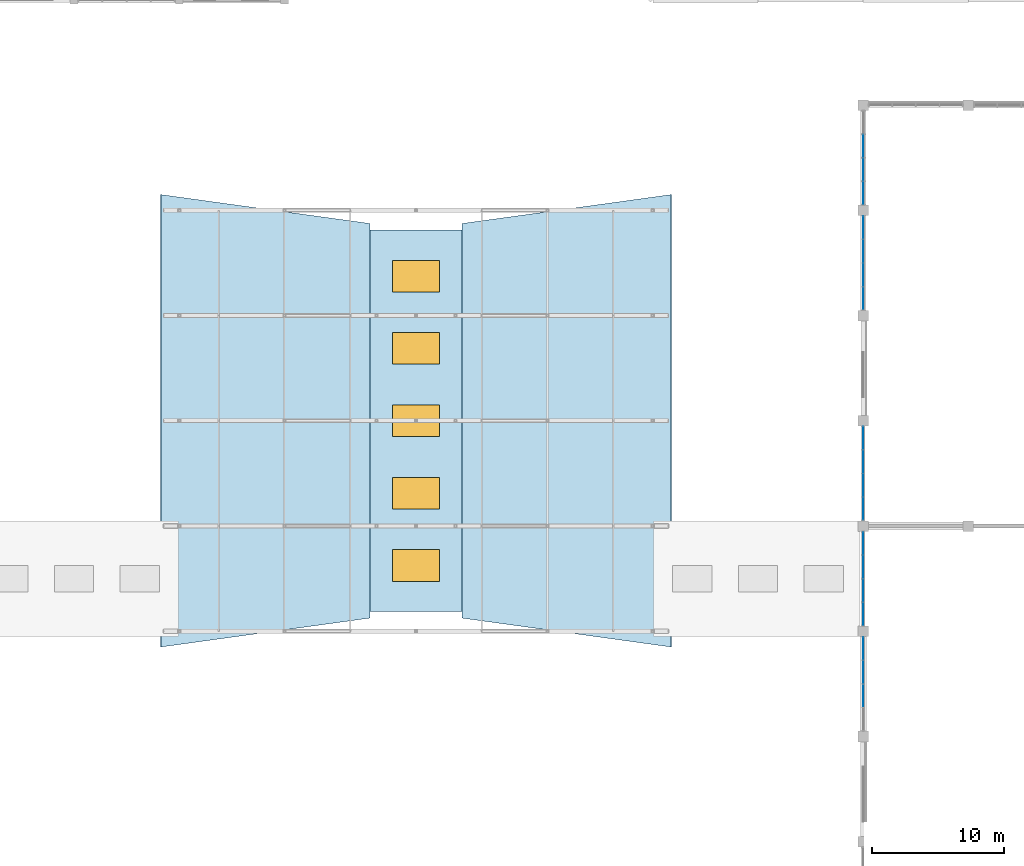
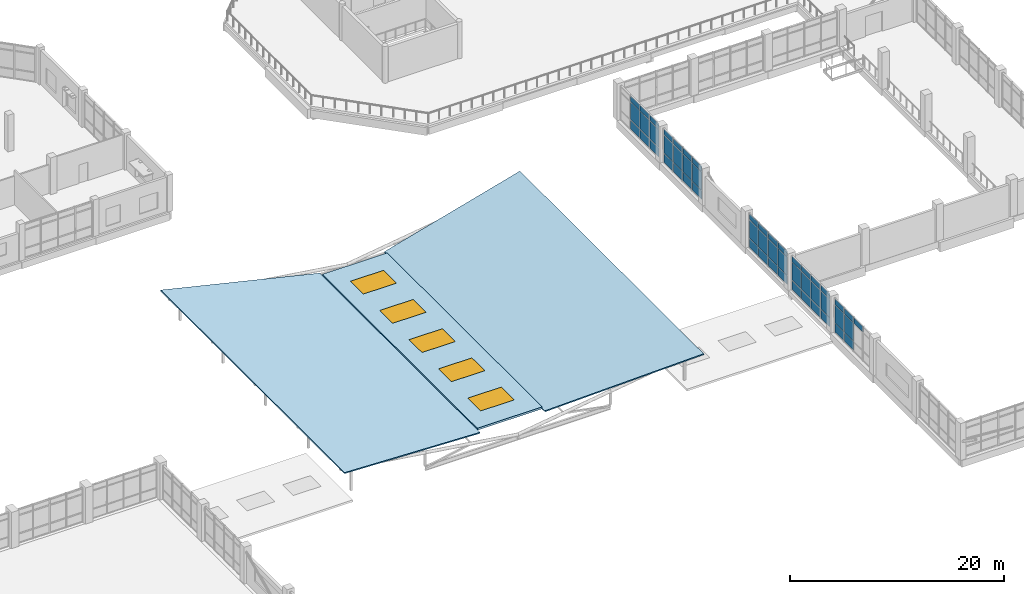
# One storey, part 57 of 84: 52 plates, 5 windows, 3 slabs, 5 openings, 5 elements without a shape of their own.
"""IFC4 building model written with IfcOpenShell, lengths in metres."""

from ifc_helpers import new_model, si_unit, direction, frame, origin, origin_2d, place, context, subcontext, project, spatial, polyline, rectangle, outline, extrude, material, layer, layer_set, type_object, element, fill, aggregate, save


model = new_model("IFC4")

# Units and contexts
model_context = context("Model", 3, precision=1e-05, world=origin(), true_north=direction((0.0, 1.0)))
body_context = subcontext(model_context, "Body", "Model", "MODEL_VIEW")
ifc_project = project(units=[si_unit("LENGTHUNIT", "METRE"), si_unit("AREAUNIT", "SQUARE_METRE"), si_unit("VOLUMEUNIT", "CUBIC_METRE"), si_unit("PLANEANGLEUNIT", "RADIAN"), si_unit("MASSUNIT", "GRAM", prefix="KILO")], contexts=[model_context])

# Site, building, storey
site_placement = place(None, origin())
site = spatial("IfcSite", under=ifc_project, at=site_placement, CompositionType="ELEMENT")
building_placement = place(site_placement, origin())
building = spatial("IfcBuilding", under=site, at=building_placement, Name="Tenunan Teduh Sports Hall", CompositionType="ELEMENT")
storey_placement = place(building_placement, frame((0.0, 0.0, 10.800048828125)))
storey = spatial("IfcBuildingStorey", under=building, at=storey_placement, Name="L02", CompositionType="ELEMENT", Elevation=10.800048828125)

# Curtain wall, plates
ifc_material_1 = material(Name="Anodised aluminium", Category="aluminium")
curtain_wall_type = type_object("IfcCurtainWallType", Name="CW-UNIT-2", PredefinedType="NOTDEFINED", material=ifc_material_1)
curtain_wall_1_placement = place(storey_placement, origin())
curtain_wall_1 = element("IfcCurtainWall", 1, at=curtain_wall_1_placement, inside=storey, type_object=curtain_wall_type, Name="CW-CWM-175-L02-030", PredefinedType="NOTDEFINED")
ifc_material_2 = material(Name="Low-E laminated double glazing", Category="glass")
ifc_layer_1 = layer(ifc_material_2, 0.028076171875)
ifc_layer_set_1 = layer_set([ifc_layer_1], Name="Low-E laminated double glazing")
plate_type_1 = type_object("IfcPlateType", Name="CWP-GLZ-28", PredefinedType="CURTAIN_PANEL", material=ifc_layer_set_1)
plate_1_placement = place(storey_placement, frame((122.0, 33.10009765625, 3.232421875), z_axis=(0.0, 0.0, 1.0), x_axis=(0.0, 1.0, 0.0)))
plate_1 = element("IfcPlate", 2, at=plate_1_placement, type_object=plate_type_1, Name="CW-02 panel 2.3", PredefinedType="CURTAIN_PANEL", context=body_context, shape_type="SweptSolid", body=[
    extrude(rectangle(XDim=1.735107421875, YDim=0.028076171875, at=origin_2d()), origin(), (0.0, 0.0, 1.0), 0.62255859375),
])
plate_2_placement = place(storey_placement, frame((122.0, 34.89990234375, 1.13232421875), z_axis=(0.0, 0.0, 1.0), x_axis=(0.0, 1.0, 0.0)))
plate_2 = element("IfcPlate", 3, at=plate_2_placement, type_object=plate_type_1, Name="CW-02 panel 3.2", PredefinedType="CURTAIN_PANEL", context=body_context, shape_type="SweptSolid", body=[
    extrude(rectangle(XDim=1.735107421875, YDim=0.028076171875, at=origin_2d()), origin(), (0.0, 0.0, 1.0), 2.034912109375),
])
plate_3_placement = place(storey_placement, frame((122.0, 34.89990234375, 3.232421875), z_axis=(0.0, 0.0, 1.0), x_axis=(0.0, 1.0, 0.0)))
plate_3 = element("IfcPlate", 4, at=plate_3_placement, type_object=plate_type_1, Name="CW-02 panel 3.3", PredefinedType="CURTAIN_PANEL", context=body_context, shape_type="SweptSolid", body=[
    extrude(rectangle(XDim=1.735107421875, YDim=0.028076171875, at=origin_2d()), origin(), (0.0, 0.0, 1.0), 0.62255859375),
])
plate_4_placement = place(storey_placement, frame((122.0, 36.683837890625, 1.13232421875), z_axis=(0.0, 0.0, 1.0), x_axis=(0.0, 1.0, 0.0)))
plate_4 = element("IfcPlate", 5, at=plate_4_placement, type_object=plate_type_1, Name="CW-02 panel 4.2", PredefinedType="CURTAIN_PANEL", context=body_context, shape_type="SweptSolid", body=[
    extrude(rectangle(XDim=1.702392578125, YDim=0.028076171875, at=origin_2d()), origin(), (0.0, 0.0, 1.0), 2.034912109375),
])
plate_5_placement = place(storey_placement, frame((122.0, 36.683837890625, 3.232421875), z_axis=(0.0, 0.0, 1.0), x_axis=(0.0, 1.0, 0.0)))
plate_5 = element("IfcPlate", 6, at=plate_5_placement, type_object=plate_type_1, Name="CW-02 panel 4.3", PredefinedType="CURTAIN_PANEL", context=body_context, shape_type="SweptSolid", body=[
    extrude(rectangle(XDim=1.702392578125, YDim=0.028076171875, at=origin_2d()), origin(), (0.0, 0.0, 1.0), 0.62255859375),
])

curtain_wall_2_placement = place(storey_placement, origin())
curtain_wall_2 = element("IfcCurtainWall", 7, at=curtain_wall_2_placement, inside=storey, type_object=curtain_wall_type, Name="CW-CWM-200-L02-032", PredefinedType="NOTDEFINED")
plate_6_placement = place(storey_placement, frame((122.0, 39.3173828125, 1.134765625), z_axis=(0.0, 0.0, 1.0), x_axis=(0.0, 1.0, 0.0)))
plate_6 = element("IfcPlate", 8, at=plate_6_placement, type_object=plate_type_1, Name="CW-02 panel 1.2", PredefinedType="CURTAIN_PANEL", context=body_context, shape_type="SweptSolid", body=[
    extrude(rectangle(XDim=1.695068359375, YDim=0.028076171875, at=origin_2d()), origin(), (0.0, 0.0, 1.0), 2.030029296875),
])
plate_7_placement = place(storey_placement, frame((122.0, 39.3173828125, 3.23486328125), z_axis=(0.0, 0.0, 1.0), x_axis=(0.0, 1.0, 0.0)))
plate_7 = element("IfcPlate", 9, at=plate_7_placement, type_object=plate_type_1, Name="CW-02 panel 1.3", PredefinedType="CURTAIN_PANEL", context=body_context, shape_type="SweptSolid", body=[
    extrude(rectangle(XDim=1.695068359375, YDim=0.028076171875, at=origin_2d()), origin(), (0.0, 0.0, 1.0), 0.614990234375),
])
plate_8_placement = place(storey_placement, frame((122.0, 41.10009765625, 1.134765625), z_axis=(0.0, 0.0, 1.0), x_axis=(0.0, 1.0, 0.0)))
plate_8 = element("IfcPlate", 10, at=plate_8_placement, type_object=plate_type_1, Name="CW-02 panel 2.2", PredefinedType="CURTAIN_PANEL", context=body_context, shape_type="SweptSolid", body=[
    extrude(rectangle(XDim=1.72998046875, YDim=0.028076171875, at=origin_2d()), origin(), (0.0, 0.0, 1.0), 2.030029296875),
])
plate_9_placement = place(storey_placement, frame((122.0, 41.10009765625, 3.23486328125), z_axis=(0.0, 0.0, 1.0), x_axis=(0.0, 1.0, 0.0)))
plate_9 = element("IfcPlate", 11, at=plate_9_placement, type_object=plate_type_1, Name="CW-02 panel 2.3", PredefinedType="CURTAIN_PANEL", context=body_context, shape_type="SweptSolid", body=[
    extrude(rectangle(XDim=1.72998046875, YDim=0.028076171875, at=origin_2d()), origin(), (0.0, 0.0, 1.0), 0.614990234375),
])
plate_10_placement = place(storey_placement, frame((122.0, 42.89990234375, 1.134765625), z_axis=(0.0, 0.0, 1.0), x_axis=(0.0, 1.0, 0.0)))
plate_10 = element("IfcPlate", 12, at=plate_10_placement, type_object=plate_type_1, Name="CW-02 panel 3.2", PredefinedType="CURTAIN_PANEL", context=body_context, shape_type="SweptSolid", body=[
    extrude(rectangle(XDim=1.72998046875, YDim=0.028076171875, at=origin_2d()), origin(), (0.0, 0.0, 1.0), 2.030029296875),
])
plate_11_placement = place(storey_placement, frame((122.0, 42.89990234375, 3.23486328125), z_axis=(0.0, 0.0, 1.0), x_axis=(0.0, 1.0, 0.0)))
plate_11 = element("IfcPlate", 13, at=plate_11_placement, type_object=plate_type_1, Name="CW-02 panel 3.3", PredefinedType="CURTAIN_PANEL", context=body_context, shape_type="SweptSolid", body=[
    extrude(rectangle(XDim=1.72998046875, YDim=0.028076171875, at=origin_2d()), origin(), (0.0, 0.0, 1.0), 0.614990234375),
])
plate_12_placement = place(storey_placement, frame((122.0, 44.6826171875, 1.134765625), z_axis=(0.0, 0.0, 1.0), x_axis=(0.0, 1.0, 0.0)))
plate_12 = element("IfcPlate", 14, at=plate_12_placement, type_object=plate_type_1, Name="CW-02 panel 4.2", PredefinedType="CURTAIN_PANEL", context=body_context, shape_type="SweptSolid", body=[
    extrude(rectangle(XDim=1.695068359375, YDim=0.028076171875, at=origin_2d()), origin(), (0.0, 0.0, 1.0), 2.030029296875),
])
plate_13_placement = place(storey_placement, frame((122.0, 44.6826171875, 3.23486328125), z_axis=(0.0, 0.0, 1.0), x_axis=(0.0, 1.0, 0.0)))
plate_13 = element("IfcPlate", 15, at=plate_13_placement, type_object=plate_type_1, Name="CW-02 panel 4.3", PredefinedType="CURTAIN_PANEL", context=body_context, shape_type="SweptSolid", body=[
    extrude(rectangle(XDim=1.695068359375, YDim=0.028076171875, at=origin_2d()), origin(), (0.0, 0.0, 1.0), 0.614990234375),
])

curtain_wall_3_placement = place(storey_placement, origin())
curtain_wall_3 = element("IfcCurtainWall", 16, at=curtain_wall_3_placement, inside=storey, type_object=curtain_wall_type, Name="CW-CWM-175-L02-134", PredefinedType="NOTDEFINED")
plate_14_placement = place(storey_placement, frame((122.0, 63.316162109375, 1.13232421875), z_axis=(0.0, 0.0, 1.0), x_axis=(0.0, 1.0, 0.0)))
plate_14 = element("IfcPlate", 17, at=plate_14_placement, type_object=plate_type_1, Name="CW-02 panel 1.2", PredefinedType="CURTAIN_PANEL", context=body_context, shape_type="SweptSolid", body=[
    extrude(rectangle(XDim=1.702392578125, YDim=0.028076171875, at=origin_2d()), origin(), (0.0, 0.0, 1.0), 2.034912109375),
])
plate_15_placement = place(storey_placement, frame((122.0, 63.316162109375, 3.232421875), z_axis=(0.0, 0.0, 1.0), x_axis=(0.0, 1.0, 0.0)))
plate_15 = element("IfcPlate", 18, at=plate_15_placement, type_object=plate_type_1, Name="CW-02 panel 1.3", PredefinedType="CURTAIN_PANEL", context=body_context, shape_type="SweptSolid", body=[
    extrude(rectangle(XDim=1.702392578125, YDim=0.028076171875, at=origin_2d()), origin(), (0.0, 0.0, 1.0), 0.62255859375),
])
plate_16_placement = place(storey_placement, frame((122.0, 65.10009765625, 1.13232421875), z_axis=(0.0, 0.0, 1.0), x_axis=(0.0, 1.0, 0.0)))
plate_16 = element("IfcPlate", 19, at=plate_16_placement, type_object=plate_type_1, Name="CW-02 panel 2.2", PredefinedType="CURTAIN_PANEL", context=body_context, shape_type="SweptSolid", body=[
    extrude(rectangle(XDim=1.735107421875, YDim=0.028076171875, at=origin_2d()), origin(), (0.0, 0.0, 1.0), 2.034912109375),
])
plate_17_placement = place(storey_placement, frame((122.0, 65.10009765625, 3.232421875), z_axis=(0.0, 0.0, 1.0), x_axis=(0.0, 1.0, 0.0)))
plate_17 = element("IfcPlate", 20, at=plate_17_placement, type_object=plate_type_1, Name="CW-02 panel 2.3", PredefinedType="CURTAIN_PANEL", context=body_context, shape_type="SweptSolid", body=[
    extrude(rectangle(XDim=1.735107421875, YDim=0.028076171875, at=origin_2d()), origin(), (0.0, 0.0, 1.0), 0.62255859375),
])
plate_18_placement = place(storey_placement, frame((122.0, 66.89990234375, 1.13232421875), z_axis=(0.0, 0.0, 1.0), x_axis=(0.0, 1.0, 0.0)))
plate_18 = element("IfcPlate", 21, at=plate_18_placement, type_object=plate_type_1, Name="CW-02 panel 3.2", PredefinedType="CURTAIN_PANEL", context=body_context, shape_type="SweptSolid", body=[
    extrude(rectangle(XDim=1.735107421875, YDim=0.028076171875, at=origin_2d()), origin(), (0.0, 0.0, 1.0), 2.034912109375),
])
plate_19_placement = place(storey_placement, frame((122.0, 66.89990234375, 3.232421875), z_axis=(0.0, 0.0, 1.0), x_axis=(0.0, 1.0, 0.0)))
plate_19 = element("IfcPlate", 22, at=plate_19_placement, type_object=plate_type_1, Name="CW-02 panel 3.3", PredefinedType="CURTAIN_PANEL", context=body_context, shape_type="SweptSolid", body=[
    extrude(rectangle(XDim=1.735107421875, YDim=0.028076171875, at=origin_2d()), origin(), (0.0, 0.0, 1.0), 0.62255859375),
])
plate_20_placement = place(storey_placement, frame((122.0, 68.683837890625, 1.13232421875), z_axis=(0.0, 0.0, 1.0), x_axis=(0.0, 1.0, 0.0)))
plate_20 = element("IfcPlate", 23, at=plate_20_placement, type_object=plate_type_1, Name="CW-02 panel 4.2", PredefinedType="CURTAIN_PANEL", context=body_context, shape_type="SweptSolid", body=[
    extrude(rectangle(XDim=1.702392578125, YDim=0.028076171875, at=origin_2d()), origin(), (0.0, 0.0, 1.0), 2.034912109375),
])
plate_21_placement = place(storey_placement, frame((122.0, 68.683837890625, 3.232421875), z_axis=(0.0, 0.0, 1.0), x_axis=(0.0, 1.0, 0.0)))
plate_21 = element("IfcPlate", 24, at=plate_21_placement, type_object=plate_type_1, Name="CW-02 panel 4.3", PredefinedType="CURTAIN_PANEL", context=body_context, shape_type="SweptSolid", body=[
    extrude(rectangle(XDim=1.702392578125, YDim=0.028076171875, at=origin_2d()), origin(), (0.0, 0.0, 1.0), 0.62255859375),
])

curtain_wall_4_placement = place(storey_placement, origin())
curtain_wall_4 = element("IfcCurtainWall", 25, at=curtain_wall_4_placement, inside=storey, type_object=curtain_wall_type, Name="CW-CWM-200-L02-136", PredefinedType="NOTDEFINED")
plate_22_placement = place(storey_placement, frame((122.0, 71.3173828125, 1.134765625), z_axis=(0.0, 0.0, 1.0), x_axis=(0.0, 1.0, 0.0)))
plate_22 = element("IfcPlate", 26, at=plate_22_placement, type_object=plate_type_1, Name="CW-02 panel 1.2", PredefinedType="CURTAIN_PANEL", context=body_context, shape_type="SweptSolid", body=[
    extrude(rectangle(XDim=1.695068359375, YDim=0.028076171875, at=origin_2d()), origin(), (0.0, 0.0, 1.0), 2.030029296875),
])
plate_23_placement = place(storey_placement, frame((122.0, 71.3173828125, 3.23486328125), z_axis=(0.0, 0.0, 1.0), x_axis=(0.0, 1.0, 0.0)))
plate_23 = element("IfcPlate", 27, at=plate_23_placement, type_object=plate_type_1, Name="CW-02 panel 1.3", PredefinedType="CURTAIN_PANEL", context=body_context, shape_type="SweptSolid", body=[
    extrude(rectangle(XDim=1.695068359375, YDim=0.028076171875, at=origin_2d()), origin(), (0.0, 0.0, 1.0), 0.614990234375),
])
plate_24_placement = place(storey_placement, frame((122.0, 73.10009765625, 1.134765625), z_axis=(0.0, 0.0, 1.0), x_axis=(0.0, 1.0, 0.0)))
plate_24 = element("IfcPlate", 28, at=plate_24_placement, type_object=plate_type_1, Name="CW-02 panel 2.2", PredefinedType="CURTAIN_PANEL", context=body_context, shape_type="SweptSolid", body=[
    extrude(rectangle(XDim=1.72998046875, YDim=0.028076171875, at=origin_2d()), origin(), (0.0, 0.0, 1.0), 2.030029296875),
])
plate_25_placement = place(storey_placement, frame((122.0, 73.10009765625, 3.23486328125), z_axis=(0.0, 0.0, 1.0), x_axis=(0.0, 1.0, 0.0)))
plate_25 = element("IfcPlate", 29, at=plate_25_placement, type_object=plate_type_1, Name="CW-02 panel 2.3", PredefinedType="CURTAIN_PANEL", context=body_context, shape_type="SweptSolid", body=[
    extrude(rectangle(XDim=1.72998046875, YDim=0.028076171875, at=origin_2d()), origin(), (0.0, 0.0, 1.0), 0.614990234375),
])
plate_26_placement = place(storey_placement, frame((122.0, 74.89990234375, 1.134765625), z_axis=(0.0, 0.0, 1.0), x_axis=(0.0, 1.0, 0.0)))
plate_26 = element("IfcPlate", 30, at=plate_26_placement, type_object=plate_type_1, Name="CW-02 panel 3.2", PredefinedType="CURTAIN_PANEL", context=body_context, shape_type="SweptSolid", body=[
    extrude(rectangle(XDim=1.72998046875, YDim=0.028076171875, at=origin_2d()), origin(), (0.0, 0.0, 1.0), 2.030029296875),
])
plate_27_placement = place(storey_placement, frame((122.0, 74.89990234375, 3.23486328125), z_axis=(0.0, 0.0, 1.0), x_axis=(0.0, 1.0, 0.0)))
plate_27 = element("IfcPlate", 31, at=plate_27_placement, type_object=plate_type_1, Name="CW-02 panel 3.3", PredefinedType="CURTAIN_PANEL", context=body_context, shape_type="SweptSolid", body=[
    extrude(rectangle(XDim=1.72998046875, YDim=0.028076171875, at=origin_2d()), origin(), (0.0, 0.0, 1.0), 0.614990234375),
])

curtain_wall_5_placement = place(storey_placement, origin())
curtain_wall_5 = element("IfcCurtainWall", 32, at=curtain_wall_5_placement, inside=storey, type_object=curtain_wall_type, Name="CW-CWM-150-L02-131", PredefinedType="NOTDEFINED")
ifc_material_3 = material(Name="Solar-control laminated glazing", Category="glass")
ifc_layer_2 = layer(ifc_material_3, 0.031982421875)
ifc_layer_set_2 = layer_set([ifc_layer_2], Name="Solar-control laminated glazing")
plate_type_2 = type_object("IfcPlateType", Name="CWP-GLZ-32", PredefinedType="CURTAIN_PANEL", material=ifc_layer_set_2)
plate_28_placement = place(storey_placement, frame((122.0, 47.31494140625, 1.1298828125), z_axis=(0.0, 0.0, 1.0), x_axis=(0.0, 1.0, 0.0)))
plate_28 = element("IfcPlate", 33, at=plate_28_placement, type_object=plate_type_2, Name="CW-02 panel 1.2", PredefinedType="CURTAIN_PANEL", context=body_context, shape_type="SweptSolid", body=[
    extrude(rectangle(XDim=1.7099609375, YDim=0.031982421875, at=origin_2d()), origin(), (0.0, 0.0, 1.0), 2.0400390625),
])
plate_29_placement = place(storey_placement, frame((122.0, 47.31494140625, 3.22998046875), z_axis=(0.0, 0.0, 1.0), x_axis=(0.0, 1.0, 0.0)))
plate_29 = element("IfcPlate", 34, at=plate_29_placement, type_object=plate_type_2, Name="CW-02 panel 1.3", PredefinedType="CURTAIN_PANEL", context=body_context, shape_type="SweptSolid", body=[
    extrude(rectangle(XDim=1.7099609375, YDim=0.031982421875, at=origin_2d()), origin(), (0.0, 0.0, 1.0), 0.6298828125),
])
plate_30_placement = place(storey_placement, frame((122.0, 49.10009765625, 1.1298828125), z_axis=(0.0, 0.0, 1.0), x_axis=(0.0, 1.0, 0.0)))
plate_30 = element("IfcPlate", 35, at=plate_30_placement, type_object=plate_type_2, Name="CW-02 panel 2.2", PredefinedType="CURTAIN_PANEL", context=body_context, shape_type="SweptSolid", body=[
    extrude(rectangle(XDim=1.739990234375, YDim=0.031982421875, at=origin_2d()), origin(), (0.0, 0.0, 1.0), 2.0400390625),
])
plate_31_placement = place(storey_placement, frame((122.0, 49.10009765625, 3.22998046875), z_axis=(0.0, 0.0, 1.0), x_axis=(0.0, 1.0, 0.0)))
plate_31 = element("IfcPlate", 36, at=plate_31_placement, type_object=plate_type_2, Name="CW-02 panel 2.3", PredefinedType="CURTAIN_PANEL", context=body_context, shape_type="SweptSolid", body=[
    extrude(rectangle(XDim=1.739990234375, YDim=0.031982421875, at=origin_2d()), origin(), (0.0, 0.0, 1.0), 0.6298828125),
])
plate_32_placement = place(storey_placement, frame((122.0, 50.89990234375, 1.1298828125), z_axis=(0.0, 0.0, 1.0), x_axis=(0.0, 1.0, 0.0)))
plate_32 = element("IfcPlate", 37, at=plate_32_placement, type_object=plate_type_2, Name="CW-02 panel 3.2", PredefinedType="CURTAIN_PANEL", context=body_context, shape_type="SweptSolid", body=[
    extrude(rectangle(XDim=1.739990234375, YDim=0.031982421875, at=origin_2d()), origin(), (0.0, 0.0, 1.0), 2.0400390625),
])
plate_33_placement = place(storey_placement, frame((122.0, 50.89990234375, 3.22998046875), z_axis=(0.0, 0.0, 1.0), x_axis=(0.0, 1.0, 0.0)))
plate_33 = element("IfcPlate", 38, at=plate_33_placement, type_object=plate_type_2, Name="CW-02 panel 3.3", PredefinedType="CURTAIN_PANEL", context=body_context, shape_type="SweptSolid", body=[
    extrude(rectangle(XDim=1.739990234375, YDim=0.031982421875, at=origin_2d()), origin(), (0.0, 0.0, 1.0), 0.6298828125),
])
plate_34_placement = place(storey_placement, frame((122.0, 52.68505859375, 1.1298828125), z_axis=(0.0, 0.0, 1.0), x_axis=(0.0, 1.0, 0.0)))
plate_34 = element("IfcPlate", 39, at=plate_34_placement, type_object=plate_type_2, Name="CW-02 panel 4.2", PredefinedType="CURTAIN_PANEL", context=body_context, shape_type="SweptSolid", body=[
    extrude(rectangle(XDim=1.7099609375, YDim=0.031982421875, at=origin_2d()), origin(), (0.0, 0.0, 1.0), 2.0400390625),
])
plate_35_placement = place(storey_placement, frame((122.0, 52.68505859375, 3.22998046875), z_axis=(0.0, 0.0, 1.0), x_axis=(0.0, 1.0, 0.0)))
plate_35 = element("IfcPlate", 40, at=plate_35_placement, type_object=plate_type_2, Name="CW-02 panel 4.3", PredefinedType="CURTAIN_PANEL", context=body_context, shape_type="SweptSolid", body=[
    extrude(rectangle(XDim=1.7099609375, YDim=0.031982421875, at=origin_2d()), origin(), (0.0, 0.0, 1.0), 0.6298828125),
])

# Plate
ifc_material_4 = material(Name="Insulated aluminium spandrel panel", Category="aluminium")
ifc_layer_3 = layer(ifc_material_4, 0.044921875)
ifc_layer_set_3 = layer_set([ifc_layer_3], Name="Insulated aluminium spandrel panel")
plate_type_3 = type_object("IfcPlateType", Name="CWP-SPN-45", PredefinedType="CURTAIN_PANEL", material=ifc_layer_set_3)
plate_36_placement = place(storey_placement, frame((122.0, 34.89990234375, 0.06494140625), z_axis=(0.0, 0.0, 1.0), x_axis=(0.0, 1.0, 0.0)))
plate_36 = element("IfcPlate", 41, at=plate_36_placement, type_object=plate_type_3, Name="CW-02 panel 3.1", PredefinedType="CURTAIN_PANEL", context=body_context, shape_type="SweptSolid", body=[
    extrude(rectangle(XDim=1.735107421875, YDim=0.028076171875, at=origin_2d()), origin(), (0.0, 0.0, 1.0), 1.00244140625),
])

plate_37_placement = place(storey_placement, frame((122.0, 36.683837890625, 0.06494140625), z_axis=(0.0, 0.0, 1.0), x_axis=(0.0, 1.0, 0.0)))
plate_37 = element("IfcPlate", 42, at=plate_37_placement, type_object=plate_type_3, Name="CW-02 panel 4.1", PredefinedType="CURTAIN_PANEL", context=body_context, shape_type="SweptSolid", body=[
    extrude(rectangle(XDim=1.702392578125, YDim=0.028076171875, at=origin_2d()), origin(), (0.0, 0.0, 1.0), 1.00244140625),
])

aggregate(curtain_wall_1, [plate_1, plate_36, plate_2, plate_3, plate_37, plate_4, plate_5])

plate_38_placement = place(storey_placement, frame((122.0, 39.3173828125, 0.06982421875), z_axis=(0.0, 0.0, 1.0), x_axis=(0.0, 1.0, 0.0)))
plate_38 = element("IfcPlate", 43, at=plate_38_placement, type_object=plate_type_3, Name="CW-02 panel 1.1", PredefinedType="CURTAIN_PANEL", context=body_context, shape_type="SweptSolid", body=[
    extrude(rectangle(XDim=1.695068359375, YDim=0.028076171875, at=origin_2d()), origin(), (0.0, 0.0, 1.0), 0.9951171875),
])

plate_39_placement = place(storey_placement, frame((122.0, 41.10009765625, 0.06982421875), z_axis=(0.0, 0.0, 1.0), x_axis=(0.0, 1.0, 0.0)))
plate_39 = element("IfcPlate", 44, at=plate_39_placement, type_object=plate_type_3, Name="CW-02 panel 2.1", PredefinedType="CURTAIN_PANEL", context=body_context, shape_type="SweptSolid", body=[
    extrude(rectangle(XDim=1.72998046875, YDim=0.028076171875, at=origin_2d()), origin(), (0.0, 0.0, 1.0), 0.9951171875),
])

plate_40_placement = place(storey_placement, frame((122.0, 42.89990234375, 0.06982421875), z_axis=(0.0, 0.0, 1.0), x_axis=(0.0, 1.0, 0.0)))
plate_40 = element("IfcPlate", 45, at=plate_40_placement, type_object=plate_type_3, Name="CW-02 panel 3.1", PredefinedType="CURTAIN_PANEL", context=body_context, shape_type="SweptSolid", body=[
    extrude(rectangle(XDim=1.72998046875, YDim=0.028076171875, at=origin_2d()), origin(), (0.0, 0.0, 1.0), 0.9951171875),
])

plate_41_placement = place(storey_placement, frame((122.0, 44.6826171875, 0.06982421875), z_axis=(0.0, 0.0, 1.0), x_axis=(0.0, 1.0, 0.0)))
plate_41 = element("IfcPlate", 46, at=plate_41_placement, type_object=plate_type_3, Name="CW-02 panel 4.1", PredefinedType="CURTAIN_PANEL", context=body_context, shape_type="SweptSolid", body=[
    extrude(rectangle(XDim=1.695068359375, YDim=0.028076171875, at=origin_2d()), origin(), (0.0, 0.0, 1.0), 0.9951171875),
])

aggregate(curtain_wall_2, [plate_38, plate_6, plate_7, plate_39, plate_8, plate_9, plate_40, plate_10, plate_11, plate_41, plate_12, plate_13])

plate_42_placement = place(storey_placement, frame((122.0, 47.31494140625, 0.06005859375), z_axis=(0.0, 0.0, 1.0), x_axis=(0.0, 1.0, 0.0)))
plate_42 = element("IfcPlate", 47, at=plate_42_placement, type_object=plate_type_3, Name="CW-02 panel 1.1", PredefinedType="CURTAIN_PANEL", context=body_context, shape_type="SweptSolid", body=[
    extrude(rectangle(XDim=1.7099609375, YDim=0.031982421875, at=origin_2d()), origin(), (0.0, 0.0, 1.0), 1.010009765625),
])

plate_43_placement = place(storey_placement, frame((122.0, 49.10009765625, 0.06005859375), z_axis=(0.0, 0.0, 1.0), x_axis=(0.0, 1.0, 0.0)))
plate_43 = element("IfcPlate", 48, at=plate_43_placement, type_object=plate_type_3, Name="CW-02 panel 2.1", PredefinedType="CURTAIN_PANEL", context=body_context, shape_type="SweptSolid", body=[
    extrude(rectangle(XDim=1.739990234375, YDim=0.031982421875, at=origin_2d()), origin(), (0.0, 0.0, 1.0), 1.010009765625),
])

plate_44_placement = place(storey_placement, frame((122.0, 50.89990234375, 0.06005859375), z_axis=(0.0, 0.0, 1.0), x_axis=(0.0, 1.0, 0.0)))
plate_44 = element("IfcPlate", 49, at=plate_44_placement, type_object=plate_type_3, Name="CW-02 panel 3.1", PredefinedType="CURTAIN_PANEL", context=body_context, shape_type="SweptSolid", body=[
    extrude(rectangle(XDim=1.739990234375, YDim=0.031982421875, at=origin_2d()), origin(), (0.0, 0.0, 1.0), 1.010009765625),
])

plate_45_placement = place(storey_placement, frame((122.0, 52.68505859375, 0.06005859375), z_axis=(0.0, 0.0, 1.0), x_axis=(0.0, 1.0, 0.0)))
plate_45 = element("IfcPlate", 50, at=plate_45_placement, type_object=plate_type_3, Name="CW-02 panel 4.1", PredefinedType="CURTAIN_PANEL", context=body_context, shape_type="SweptSolid", body=[
    extrude(rectangle(XDim=1.7099609375, YDim=0.031982421875, at=origin_2d()), origin(), (0.0, 0.0, 1.0), 1.010009765625),
])

aggregate(curtain_wall_5, [plate_42, plate_28, plate_29, plate_43, plate_30, plate_31, plate_44, plate_32, plate_33, plate_45, plate_34, plate_35])

plate_46_placement = place(storey_placement, frame((122.0, 63.316162109375, 0.06494140625), z_axis=(0.0, 0.0, 1.0), x_axis=(0.0, 1.0, 0.0)))
plate_46 = element("IfcPlate", 51, at=plate_46_placement, type_object=plate_type_3, Name="CW-02 panel 1.1", PredefinedType="CURTAIN_PANEL", context=body_context, shape_type="SweptSolid", body=[
    extrude(rectangle(XDim=1.702392578125, YDim=0.028076171875, at=origin_2d()), origin(), (0.0, 0.0, 1.0), 1.00244140625),
])

plate_47_placement = place(storey_placement, frame((122.0, 65.10009765625, 0.06494140625), z_axis=(0.0, 0.0, 1.0), x_axis=(0.0, 1.0, 0.0)))
plate_47 = element("IfcPlate", 52, at=plate_47_placement, type_object=plate_type_3, Name="CW-02 panel 2.1", PredefinedType="CURTAIN_PANEL", context=body_context, shape_type="SweptSolid", body=[
    extrude(rectangle(XDim=1.735107421875, YDim=0.028076171875, at=origin_2d()), origin(), (0.0, 0.0, 1.0), 1.00244140625),
])

plate_48_placement = place(storey_placement, frame((122.0, 66.89990234375, 0.06494140625), z_axis=(0.0, 0.0, 1.0), x_axis=(0.0, 1.0, 0.0)))
plate_48 = element("IfcPlate", 53, at=plate_48_placement, type_object=plate_type_3, Name="CW-02 panel 3.1", PredefinedType="CURTAIN_PANEL", context=body_context, shape_type="SweptSolid", body=[
    extrude(rectangle(XDim=1.735107421875, YDim=0.028076171875, at=origin_2d()), origin(), (0.0, 0.0, 1.0), 1.00244140625),
])

plate_49_placement = place(storey_placement, frame((122.0, 68.683837890625, 0.06494140625), z_axis=(0.0, 0.0, 1.0), x_axis=(0.0, 1.0, 0.0)))
plate_49 = element("IfcPlate", 54, at=plate_49_placement, type_object=plate_type_3, Name="CW-02 panel 4.1", PredefinedType="CURTAIN_PANEL", context=body_context, shape_type="SweptSolid", body=[
    extrude(rectangle(XDim=1.702392578125, YDim=0.028076171875, at=origin_2d()), origin(), (0.0, 0.0, 1.0), 1.00244140625),
])

aggregate(curtain_wall_3, [plate_46, plate_14, plate_15, plate_47, plate_16, plate_17, plate_48, plate_18, plate_19, plate_49, plate_20, plate_21])

plate_50_placement = place(storey_placement, frame((122.0, 71.3173828125, 0.06982421875), z_axis=(0.0, 0.0, 1.0), x_axis=(0.0, 1.0, 0.0)))
plate_50 = element("IfcPlate", 55, at=plate_50_placement, type_object=plate_type_3, Name="CW-02 panel 1.1", PredefinedType="CURTAIN_PANEL", context=body_context, shape_type="SweptSolid", body=[
    extrude(rectangle(XDim=1.695068359375, YDim=0.028076171875, at=origin_2d()), origin(), (0.0, 0.0, 1.0), 0.9951171875),
])

plate_51_placement = place(storey_placement, frame((122.0, 73.10009765625, 0.06982421875), z_axis=(0.0, 0.0, 1.0), x_axis=(0.0, 1.0, 0.0)))
plate_51 = element("IfcPlate", 56, at=plate_51_placement, type_object=plate_type_3, Name="CW-02 panel 2.1", PredefinedType="CURTAIN_PANEL", context=body_context, shape_type="SweptSolid", body=[
    extrude(rectangle(XDim=1.72998046875, YDim=0.028076171875, at=origin_2d()), origin(), (0.0, 0.0, 1.0), 0.9951171875),
])

plate_52_placement = place(storey_placement, frame((122.0, 74.89990234375, 0.06982421875), z_axis=(0.0, 0.0, 1.0), x_axis=(0.0, 1.0, 0.0)))
plate_52 = element("IfcPlate", 57, at=plate_52_placement, type_object=plate_type_3, Name="CW-02 panel 3.1", PredefinedType="CURTAIN_PANEL", context=body_context, shape_type="SweptSolid", body=[
    extrude(rectangle(XDim=1.72998046875, YDim=0.028076171875, at=origin_2d()), origin(), (0.0, 0.0, 1.0), 0.9951171875),
])

aggregate(curtain_wall_4, [plate_50, plate_22, plate_23, plate_51, plate_24, plate_25, plate_52, plate_26, plate_27])

# Slabs
ifc_material_5 = material(Name="Concrete C40/50", Category="concrete")
ifc_layer_4 = layer(ifc_material_5, 0.1298828125)
ifc_layer_set_4 = layer_set([ifc_layer_4], Name="Concrete C40/50")
slab_type_1 = type_object("IfcSlabType", Name="SLB-ROOF-130", PredefinedType="ROOF", material=ifc_layer_set_4)
slab_1_placement = place(storey_placement, frame((68.60009765625, 36.800048828125, 3.119873046875), z_axis=(0.143152956278, 0.0, 0.989700576492), x_axis=(0.980549701092, 0.135671365607, -0.14182934902)))
element("IfcSlab", 58, at=slab_1_placement, inside=storey, type_object=slab_type_1, Name="SL-BFY-V4-W", PredefinedType="ROOF", context=body_context, shape_type="SweptSolid", body=[
    extrude(outline(polyline([(0.0, 0.0), (16.215294672008522, -5.967448757360216e-16), (20.285435640225355, 29.722616851462508), (4.667081727731837, 34.08183723636695), (0.0, 0.0)])), origin(), (0.0, 0.0, -1.0), 0.1298828125),
])
slab_2_placement = place(storey_placement, frame((91.5, 39.0, 0.820068359375), z_axis=(-0.143152956278, 0.0, 0.989700576492), x_axis=(0.980549701092, -0.135671365607, 0.14182934902)))
element("IfcSlab", 59, at=slab_2_placement, inside=storey, type_object=slab_type_1, Name="SL-BFY-V4-E", PredefinedType="ROOF", context=body_context, shape_type="SweptSolid", body=[
    extrude(outline(polyline([(0.0, 0.0), (16.215294672008522, 5.967448757360216e-16), (11.548212944276685, 34.08183723636695), (-4.070140968216832, 29.72261685146251), (0.0, 0.0)])), origin(), (0.0, 0.0, -1.0), 0.1298828125),
])

# Slab, openings, windows
ifc_material_6 = material(Name="Concrete C40/50", Category="concrete")
ifc_layer_5 = layer(ifc_material_6, 0.22998046875)
ifc_layer_set_5 = layer_set([ifc_layer_5], Name="Concrete C40/50")
slab_type_2 = type_object("IfcSlabType", Name="SLB-ROOF-230", PredefinedType="ROOF", material=ifc_layer_set_5)
slab_3_placement = place(storey_placement, frame((0.0, 0.0, 0.75)))
slab_3 = element("IfcSlab", 60, at=slab_3_placement, inside=storey, type_object=slab_type_2, Name="Foyer Butterfly Valley Skylight Lantern Roof", PredefinedType="ROOF", context=body_context, shape_type="SweptSolid", body=[
    extrude(outline(polyline([(84.5, 39.5), (91.5, 39.5), (91.5, 68.5), (84.5, 68.5), (84.5, 39.5)])), origin(), (0.0, 0.0, 1.0), 0.22998046875),
])
opening_1_placement = place(slab_3_placement, frame((88.0, 43.0, 0.0)))
opening_1 = element("IfcOpeningElement", 61, at=opening_1_placement, cuts=slab_3, Name="Opening SK-03", PredefinedType="OPENING", context=body_context, shape_type="SweptSolid", body=[
    extrude(rectangle(XDim=3.60009765625, YDim=2.39990234375, at=origin_2d()), origin(), (0.0, 0.0, 1.0), 0.22998046875),
])
opening_2_placement = place(slab_3_placement, frame((88.0, 48.5, 0.0)))
opening_2 = element("IfcOpeningElement", 62, at=opening_2_placement, cuts=slab_3, Name="Opening SK-03", PredefinedType="OPENING", context=body_context, shape_type="SweptSolid", body=[
    extrude(rectangle(XDim=3.60009765625, YDim=2.39990234375, at=origin_2d()), origin(), (0.0, 0.0, 1.0), 0.22998046875),
])
opening_3_placement = place(slab_3_placement, frame((88.0, 54.0, 0.0)))
opening_3 = element("IfcOpeningElement", 63, at=opening_3_placement, cuts=slab_3, Name="Opening SK-03", PredefinedType="OPENING", context=body_context, shape_type="SweptSolid", body=[
    extrude(rectangle(XDim=3.60009765625, YDim=2.39990234375, at=origin_2d()), origin(), (0.0, 0.0, 1.0), 0.22998046875),
])
opening_4_placement = place(slab_3_placement, frame((88.0, 59.5, 0.0)))
opening_4 = element("IfcOpeningElement", 64, at=opening_4_placement, cuts=slab_3, Name="Opening SK-03", PredefinedType="OPENING", context=body_context, shape_type="SweptSolid", body=[
    extrude(rectangle(XDim=3.60009765625, YDim=2.39990234375, at=origin_2d()), origin(), (0.0, 0.0, 1.0), 0.22998046875),
])
opening_5_placement = place(slab_3_placement, frame((88.0, 65.0, 0.0)))
opening_5 = element("IfcOpeningElement", 65, at=opening_5_placement, cuts=slab_3, Name="Opening SK-03", PredefinedType="OPENING", context=body_context, shape_type="SweptSolid", body=[
    extrude(rectangle(XDim=3.60009765625, YDim=2.39990234375, at=origin_2d()), origin(), (0.0, 0.0, 1.0), 0.22998046875),
])
ifc_material_7 = material(Name="Thermally broken aluminium and Low-E glazing", Category="aluminium")
window_type = type_object("IfcWindowType", Name="SKY-03", PartitioningType="SINGLE_PANEL", PredefinedType="SKYLIGHT", material=ifc_material_7)
window_1_placement = place(opening_1_placement, frame((0.0, 0.0, 0.179931640625)))
window_1 = element("IfcWindow", 66, at=window_1_placement, inside=storey, type_object=window_type, Name="SKY-L02-07", OverallHeight=2.39990234375, OverallWidth=3.60009765625, PartitioningType="SINGLE_PANEL", PredefinedType="SKYLIGHT", context=body_context, shape_type="SweptSolid", body=[
    extrude(rectangle(XDim=3.60009765625, YDim=2.39990234375, at=origin_2d()), origin(), (0.0, 0.0, 1.0), 0.050048828125),
])
fill(opening_1, window_1)
window_2_placement = place(opening_2_placement, frame((0.0, 0.0, 0.179931640625)))
window_2 = element("IfcWindow", 67, at=window_2_placement, inside=storey, type_object=window_type, Name="SKY-L02-08", OverallHeight=2.39990234375, OverallWidth=3.60009765625, PartitioningType="SINGLE_PANEL", PredefinedType="SKYLIGHT", context=body_context, shape_type="SweptSolid", body=[
    extrude(rectangle(XDim=3.60009765625, YDim=2.39990234375, at=origin_2d()), origin(), (0.0, 0.0, 1.0), 0.050048828125),
])
fill(opening_2, window_2)
window_3_placement = place(opening_3_placement, frame((0.0, 0.0, 0.179931640625)))
window_3 = element("IfcWindow", 68, at=window_3_placement, inside=storey, type_object=window_type, Name="SKY-L02-09", OverallHeight=2.39990234375, OverallWidth=3.60009765625, PartitioningType="SINGLE_PANEL", PredefinedType="SKYLIGHT", context=body_context, shape_type="SweptSolid", body=[
    extrude(rectangle(XDim=3.60009765625, YDim=2.39990234375, at=origin_2d()), origin(), (0.0, 0.0, 1.0), 0.050048828125),
])
fill(opening_3, window_3)
window_4_placement = place(opening_4_placement, frame((0.0, 0.0, 0.179931640625)))
window_4 = element("IfcWindow", 69, at=window_4_placement, inside=storey, type_object=window_type, Name="SKY-L02-10", OverallHeight=2.39990234375, OverallWidth=3.60009765625, PartitioningType="SINGLE_PANEL", PredefinedType="SKYLIGHT", context=body_context, shape_type="SweptSolid", body=[
    extrude(rectangle(XDim=3.60009765625, YDim=2.39990234375, at=origin_2d()), origin(), (0.0, 0.0, 1.0), 0.050048828125),
])
fill(opening_4, window_4)
window_5_placement = place(opening_5_placement, frame((0.0, 0.0, 0.179931640625)))
window_5 = element("IfcWindow", 70, at=window_5_placement, inside=storey, type_object=window_type, Name="SKY-L02-11", OverallHeight=2.39990234375, OverallWidth=3.60009765625, PartitioningType="SINGLE_PANEL", PredefinedType="SKYLIGHT", context=body_context, shape_type="SweptSolid", body=[
    extrude(rectangle(XDim=3.60009765625, YDim=2.39990234375, at=origin_2d()), origin(), (0.0, 0.0, 1.0), 0.050048828125),
])
fill(opening_5, window_5)

save(model, "model.ifc")
